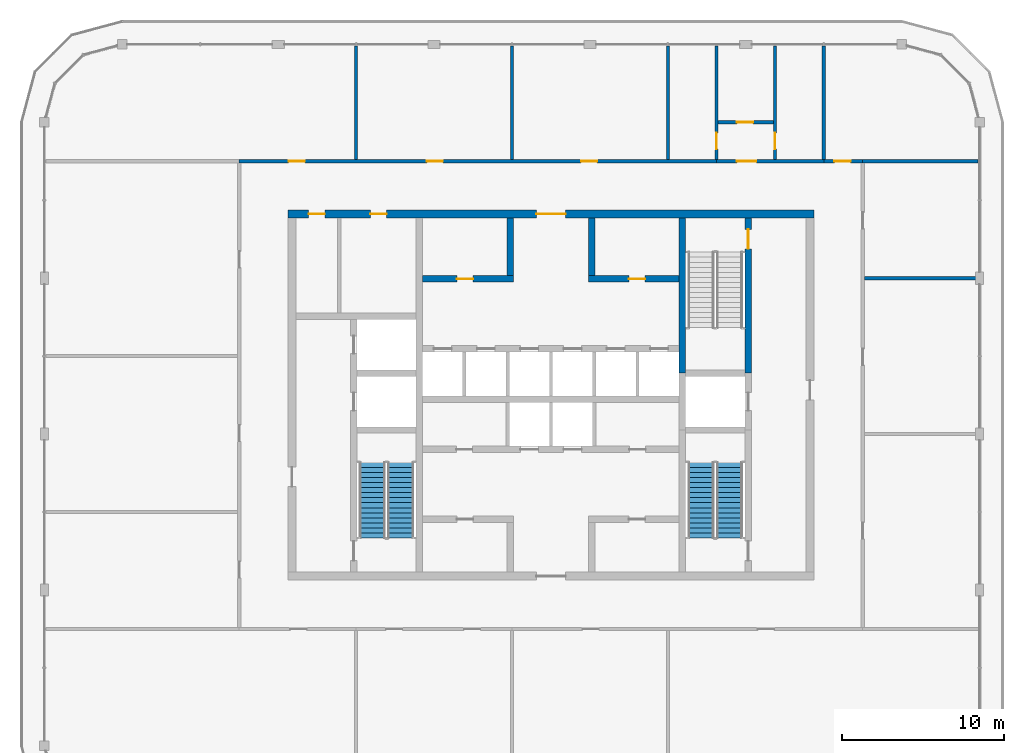
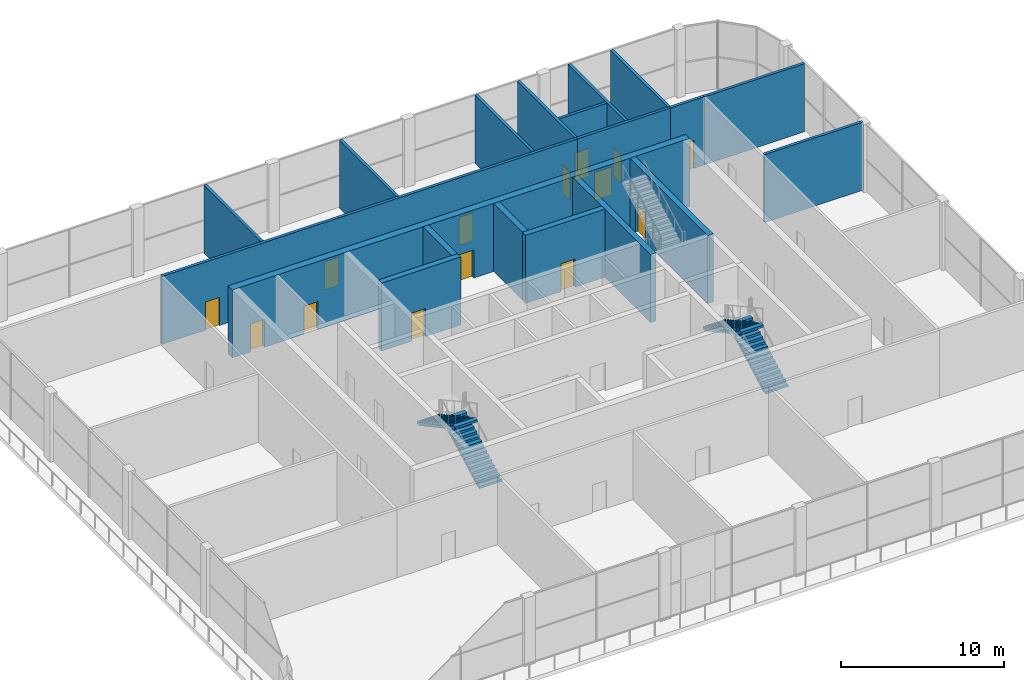
# One storey, part 11 of 15: 19 walls, 14 doors, 4 stair flights, 14 openings, 2 elements without a shape of their own.
"""IFC4 building model written with IfcOpenShell, lengths in metres."""

from ifc_helpers import new_model, si_unit, direction, frame, frame_2d, origin, place, context, subcontext, project, spatial, polyline, rectangle, outline, extrude, material, layer, layer_set, type_object, element, fill, aggregate, save


model = new_model("IFC4")

# Units and contexts
model_context = context("Model", 3, precision=1e-05, world=origin(), true_north=direction((0.0, 1.0)))
body_context = subcontext(model_context, "Body", "Model", "MODEL_VIEW")
ifc_project = project(units=[si_unit("LENGTHUNIT", "METRE"), si_unit("AREAUNIT", "SQUARE_METRE"), si_unit("VOLUMEUNIT", "CUBIC_METRE"), si_unit("PLANEANGLEUNIT", "RADIAN"), si_unit("MASSUNIT", "GRAM", prefix="KILO")], contexts=[model_context])

# Site, building, storey
site_placement = place(None, origin())
site = spatial("IfcSite", under=ifc_project, at=site_placement, CompositionType="ELEMENT")
building_placement = place(site_placement, origin())
building = spatial("IfcBuilding", under=site, at=building_placement, Name="Madar Terraces", CompositionType="ELEMENT")
storey_placement = place(building_placement, frame((0.0, 0.0, 286.10009765625)))
storey = spatial("IfcBuildingStorey", under=building, at=storey_placement, Name="L75", CompositionType="ELEMENT", Elevation=286.10009765625)

# Wall
ifc_material_1 = material(Name="Concrete C50/60", Category="concrete")
ifc_layer_1 = layer(ifc_material_1, 0.39990234375)
ifc_layer_set_1 = layer_set([ifc_layer_1], Name="Concrete C50/60 (CIW6 RC wall 400)")
wall_type_1 = type_object("IfcWallType", Name="CIW6 RC wall 400", PredefinedType="SHEAR", material=ifc_layer_set_1)
wall_1_placement = place(storey_placement, frame((39.300048828125, 27.75, 0.0), z_axis=(0.0, 0.0, 1.0), x_axis=(0.0, 1.0, 0.0)))
element("IfcWall", 1, at=wall_1_placement, inside=storey, type_object=wall_type_1, Name="CORE SHAFT WALL", PredefinedType="SHEAR", context=body_context, shape_type="SweptSolid", body=[
    extrude(rectangle(XDim=9.550048828125, YDim=0.39990234375, at=frame_2d((4.77490234375, 0.0))), origin(), (0.0, 0.0, 1.0), 5.099853515625),
])

# Wall, opening, door
wall_2_placement = place(storey_placement, frame((43.35009765625, 27.75, 0.0), z_axis=(0.0, 0.0, 1.0), x_axis=(0.0, 1.0, 0.0)))
wall_2 = element("IfcWall", 2, at=wall_2_placement, inside=storey, type_object=wall_type_1, Name="CORE SHAFT WALL", PredefinedType="SHEAR", context=body_context, shape_type="SweptSolid", body=[
    extrude(rectangle(XDim=9.550048828125, YDim=0.39990234375, at=frame_2d((4.77490234375, 0.0))), origin(), (0.0, 0.0, 1.0), 5.099853515625),
])
opening_1_placement = place(wall_2_placement, frame((7.64990234375, 0.0, 0.0)))
opening_1 = element("IfcOpeningElement", 3, at=opening_1_placement, cuts=wall_2, Name="Opening SD1", PredefinedType="OPENING", context=body_context, shape_type="SweptSolid", body=[
    extrude(rectangle(XDim=1.199951171875, YDim=2.10009765625, at=frame_2d((0.60009765625, 1.050048828125))), frame((0.0, 0.2099609375, 0.0), z_axis=(0.0, -1.0, 0.0), x_axis=(1.0, 0.0, 0.0)), (0.0, 0.0, 1.0), 0.419921875),
])
ifc_material_2 = material(Name="Steel door leaf", Category="steel")
door_type_1 = type_object("IfcDoorType", Name="Stair door 1200 x 2100", OperationType="NOTDEFINED", PredefinedType="DOOR", material=ifc_material_2)
door_1_placement = place(opening_1_placement, origin())
door_1 = element("IfcDoor", 4, at=door_1_placement, inside=storey, type_object=door_type_1, Name="STAIR DOOR", OperationType="SINGLE_SWING_LEFT", OverallHeight=2.10009765625, OverallWidth=1.199951171875, PredefinedType="DOOR", context=body_context, shape_type="SweptSolid", body=[
    extrude(rectangle(XDim=1.199951171875, YDim=2.10009765625, at=frame_2d((0.60009765625, 1.050048828125))), frame((0.0, 0.02490234375, 0.0), z_axis=(0.0, -1.0, 0.0), x_axis=(1.0, 0.0, 0.0)), (0.0, 0.0, 1.0), 0.050048828125),
])
fill(opening_1, door_1)

wall_3_placement = place(storey_placement, frame((23.300048828125, 33.550048828125, 0.0), z_axis=(0.0, 0.0, 1.0), x_axis=(1.0, 0.0, 0.0)))
wall_3 = element("IfcWall", 5, at=wall_3_placement, inside=storey, type_object=wall_type_1, Name="CORE SHAFT WALL", PredefinedType="SHEAR", context=body_context, shape_type="SweptSolid", body=[
    extrude(rectangle(XDim=5.599853515625, YDim=0.39990234375, at=frame_2d((2.7998046875, 0.0))), origin(), (0.0, 0.0, 1.0), 5.099853515625),
])
opening_2_placement = place(wall_3_placement, frame((2.10009765625, 0.0, 0.0)))
opening_2 = element("IfcOpeningElement", 6, at=opening_2_placement, cuts=wall_3, Name="Opening KD2", PredefinedType="OPENING", context=body_context, shape_type="SweptSolid", body=[
    extrude(rectangle(XDim=1.0, YDim=2.10009765625, at=frame_2d((0.5, 1.050048828125))), frame((0.0, 0.2099609375, 0.0), z_axis=(0.0, -1.0, 0.0), x_axis=(1.0, 0.0, 0.0)), (0.0, 0.0, 1.0), 0.419921875),
])
ifc_material_3 = material(Name="Steel door leaf", Category="steel")
door_type_2 = type_object("IfcDoorType", Name="Service room door 1000 x 2100", OperationType="NOTDEFINED", PredefinedType="DOOR", material=ifc_material_3)
door_2_placement = place(opening_2_placement, frame((1.0, 0.0, 0.0), z_axis=(0.0, 0.0, 1.0), x_axis=(-1.0, 0.0, 0.0)))
door_2 = element("IfcDoor", 7, at=door_2_placement, inside=storey, type_object=door_type_2, Name="SERVICE ROOM DOOR", OperationType="SINGLE_SWING_RIGHT", OverallHeight=2.10009765625, OverallWidth=1.0, PredefinedType="DOOR", context=body_context, shape_type="SweptSolid", body=[
    extrude(rectangle(XDim=1.0, YDim=2.10009765625, at=frame_2d((0.5, 1.050048828125))), frame((0.0, 0.02490234375, 0.0), z_axis=(0.0, -1.0, 0.0), x_axis=(1.0, 0.0, 0.0)), (0.0, 0.0, 1.0), 0.050048828125),
])
fill(opening_2, door_2)

wall_4_placement = place(storey_placement, frame((33.5, 33.550048828125, 0.0), z_axis=(0.0, 0.0, 1.0), x_axis=(1.0, 0.0, 0.0)))
wall_4 = element("IfcWall", 8, at=wall_4_placement, inside=storey, type_object=wall_type_1, Name="CORE SHAFT WALL", PredefinedType="SHEAR", context=body_context, shape_type="SweptSolid", body=[
    extrude(rectangle(XDim=5.60009765625, YDim=0.39990234375, at=frame_2d((2.800048828125, 0.0))), origin(), (0.0, 0.0, 1.0), 5.099853515625),
])
opening_3_placement = place(wall_4_placement, frame((2.5, 0.0, 0.0)))
opening_3 = element("IfcOpeningElement", 9, at=opening_3_placement, cuts=wall_4, Name="Opening KD2", PredefinedType="OPENING", context=body_context, shape_type="SweptSolid", body=[
    extrude(rectangle(XDim=1.0, YDim=2.10009765625, at=frame_2d((0.5, 1.050048828125))), frame((0.0, 0.2099609375, 0.0), z_axis=(0.0, -1.0, 0.0), x_axis=(1.0, 0.0, 0.0)), (0.0, 0.0, 1.0), 0.419921875),
])
door_3_placement = place(opening_3_placement, frame((1.0, 0.0, 0.0), z_axis=(0.0, 0.0, 1.0), x_axis=(-1.0, 0.0, 0.0)))
door_3 = element("IfcDoor", 10, at=door_3_placement, inside=storey, type_object=door_type_2, Name="SERVICE ROOM DOOR", OperationType="SINGLE_SWING_LEFT", OverallHeight=2.10009765625, OverallWidth=1.0, PredefinedType="DOOR", context=body_context, shape_type="SweptSolid", body=[
    extrude(rectangle(XDim=1.0, YDim=2.10009765625, at=frame_2d((0.5, 1.050048828125))), frame((0.0, 0.02490234375, 0.0), z_axis=(0.0, -1.0, 0.0), x_axis=(1.0, 0.0, 0.0)), (0.0, 0.0, 1.0), 0.050048828125),
])
fill(opening_3, door_3)

# Walls
for number, where, z_axis, x_axis, name in (
    (11, (28.699951171875, 33.75, 0.0), (0.0, 0.0, 1.0), (0.0, 1.0, 0.0), "CORE SHAFT WALL"),
    (12, (33.699951171875, 33.75, 0.0), (0.0, 0.0, 1.0), (0.0, 1.0, 0.0), "CORE SHAFT WALL"),
):
    element("IfcWall", number, at=place(storey_placement, frame(where, z_axis=z_axis, x_axis=x_axis)), inside=storey, type_object=wall_type_1, Name=name, PredefinedType="SHEAR", context=body_context, shape_type="SweptSolid", body=[
        extrude(rectangle(XDim=3.550048828125, YDim=0.39990234375, at=frame_2d((1.77490234375, 0.0))), origin(), (0.0, 0.0, 1.0), 5.099853515625),
    ])

# Wall, openings, doors
ifc_material_4 = material(Name="Concrete C50/60", Category="concrete")
ifc_layer_2 = layer(ifc_material_4, 0.5)
ifc_layer_set_2 = layer_set([ifc_layer_2], Name="Concrete C50/60 (CRW6 RC wall 500)")
wall_type_2 = type_object("IfcWallType", Name="CRW6 RC wall 500", PredefinedType="SHEAR", material=ifc_layer_set_2)
wall_5_placement = place(storey_placement, frame((15.0, 37.550048828125, 0.0), z_axis=(0.0, 0.0, 1.0), x_axis=(1.0, 0.0, 0.0)))
wall_5 = element("IfcWall", 13, at=wall_5_placement, inside=storey, type_object=wall_type_2, Name="CORE OUTER WALL", PredefinedType="SHEAR", context=body_context, shape_type="SweptSolid", body=[
    extrude(rectangle(XDim=32.39990234375, YDim=0.5, at=frame_2d((16.199951171875, 0.0))), origin(), (0.0, 0.0, 1.0), 5.099853515625),
])
opening_4_placement = place(wall_5_placement, frame((15.300048828125, 0.0, 0.0)))
opening_4 = element("IfcOpeningElement", 14, at=opening_4_placement, cuts=wall_5, Name="Opening KD1", PredefinedType="OPENING", context=body_context, shape_type="SweptSolid", body=[
    extrude(rectangle(XDim=1.800048828125, YDim=2.10009765625, at=frame_2d((0.89990234375, 1.050048828125))), frame((0.0, 0.260009765625, 0.0), z_axis=(0.0, -1.0, 0.0), x_axis=(1.0, 0.0, 0.0)), (0.0, 0.0, 1.0), 0.52001953125),
])
opening_5_placement = place(wall_5_placement, frame((1.281982421875, 0.0, 0.0)))
opening_5 = element("IfcOpeningElement", 15, at=opening_5_placement, cuts=wall_5, Name="Opening KD2", PredefinedType="OPENING", context=body_context, shape_type="SweptSolid", body=[
    extrude(rectangle(XDim=1.0, YDim=2.10009765625, at=frame_2d((0.5, 1.050048828125))), frame((0.0, 0.260009765625, 0.0), z_axis=(0.0, -1.0, 0.0), x_axis=(1.0, 0.0, 0.0)), (0.0, 0.0, 1.0), 0.52001953125),
])
opening_6_placement = place(wall_5_placement, frame((5.08203125, 0.0, 0.0)))
opening_6 = element("IfcOpeningElement", 16, at=opening_6_placement, cuts=wall_5, Name="Opening KD2", PredefinedType="OPENING", context=body_context, shape_type="SweptSolid", body=[
    extrude(rectangle(XDim=1.0, YDim=2.10009765625, at=frame_2d((0.5, 1.050048828125))), frame((0.0, 0.260009765625, 0.0), z_axis=(0.0, -1.0, 0.0), x_axis=(1.0, 0.0, 0.0)), (0.0, 0.0, 1.0), 0.52001953125),
])
ifc_material_5 = material(Name="Steel door leaf", Category="steel")
door_type_3 = type_object("IfcDoorType", Name="Lobby door pair 1800 x 2100", OperationType="DOUBLE_DOOR_SINGLE_SWING", PredefinedType="DOOR", material=ifc_material_5)
door_4_placement = place(opening_4_placement, origin())
door_4 = element("IfcDoor", 17, at=door_4_placement, inside=storey, type_object=door_type_3, Name="LIFT LOBBY DOOR", OperationType="DOUBLE_DOOR_SINGLE_SWING", OverallHeight=2.10009765625, OverallWidth=1.800048828125, PredefinedType="DOOR", context=body_context, shape_type="SweptSolid", body=[
    extrude(rectangle(XDim=1.800048828125, YDim=2.10009765625, at=frame_2d((0.89990234375, 1.050048828125))), frame((0.0, 0.02490234375, 0.0), z_axis=(0.0, -1.0, 0.0), x_axis=(1.0, 0.0, 0.0)), (0.0, 0.0, 1.0), 0.050048828125),
])
fill(opening_4, door_4)
door_5_placement = place(opening_5_placement, origin())
door_5 = element("IfcDoor", 18, at=door_5_placement, inside=storey, type_object=door_type_2, Name="SERVICE ROOM DOOR", OperationType="SINGLE_SWING_RIGHT", OverallHeight=2.10009765625, OverallWidth=1.0, PredefinedType="DOOR", context=body_context, shape_type="SweptSolid", body=[
    extrude(rectangle(XDim=1.0, YDim=2.10009765625, at=frame_2d((0.5, 1.050048828125))), frame((0.0, 0.02490234375, 0.0), z_axis=(0.0, -1.0, 0.0), x_axis=(1.0, 0.0, 0.0)), (0.0, 0.0, 1.0), 0.050048828125),
])
fill(opening_5, door_5)
door_6_placement = place(opening_6_placement, origin())
door_6 = element("IfcDoor", 19, at=door_6_placement, inside=storey, type_object=door_type_2, Name="SERVICE ROOM DOOR", OperationType="SINGLE_SWING_LEFT", OverallHeight=2.10009765625, OverallWidth=1.0, PredefinedType="DOOR", context=body_context, shape_type="SweptSolid", body=[
    extrude(rectangle(XDim=1.0, YDim=2.10009765625, at=frame_2d((0.5, 1.050048828125))), frame((0.0, 0.02490234375, 0.0), z_axis=(0.0, -1.0, 0.0), x_axis=(1.0, 0.0, 0.0)), (0.0, 0.0, 1.0), 0.050048828125),
])
fill(opening_6, door_6)

# Walls
ifc_material_6 = material(Name="Gypsum board partition, fire-rated")
ifc_layer_3 = layer(ifc_material_6, 0.199951171875)
ifc_layer_set_3 = layer_set([ifc_layer_3], Name="Partition 200 EI 60")
wall_type_3 = type_object("IfcWallType", Name="Partition 200 EI 60", PredefinedType="PARTITIONING", material=ifc_layer_set_3)
wall_6_placement = place(storey_placement, frame((50.5, 33.60009765625, 0.0), z_axis=(0.0, 0.0, 1.0), x_axis=(1.0, 0.0, 0.0)))
element("IfcWall", 20, at=wall_6_placement, inside=storey, type_object=wall_type_3, Name="Wall ART ROOM / STAFF WC", PredefinedType="PARTITIONING", context=body_context, shape_type="SweptSolid", body=[
    extrude(rectangle(XDim=7.0, YDim=0.199951171875, at=frame_2d((3.5, 0.0))), origin(), (0.0, 0.0, 1.0), 5.099853515625),
])
wall_7_placement = place(storey_placement, frame((50.39990234375, 40.800048828125, 0.0), z_axis=(0.0, 0.0, 1.0), x_axis=(1.0, 0.0, 0.0)))
element("IfcWall", 21, at=wall_7_placement, inside=storey, type_object=wall_type_3, Name="Wall QUIET ROOM / STAFF WC", PredefinedType="PARTITIONING", context=body_context, shape_type="SweptSolid", body=[
    extrude(rectangle(XDim=7.10009765625, YDim=0.199951171875, at=frame_2d((3.550048828125, 0.0))), origin(), (0.0, 0.0, 1.0), 5.099853515625),
])

# Wall, openings, doors
wall_8_placement = place(storey_placement, frame((12.0, 40.800048828125, 0.0), z_axis=(0.0, 0.0, 1.0), x_axis=(1.0, 0.0, 0.0)))
wall_8 = element("IfcWall", 22, at=wall_8_placement, inside=storey, type_object=wall_type_3, Name="Wall CRAFT ROOM + INFORMATION ROOM", PredefinedType="PARTITIONING", context=body_context, shape_type="SweptSolid", body=[
    extrude(rectangle(XDim=29.39990234375, YDim=0.199951171875, at=frame_2d((14.699951171875, 0.0))), origin(), (0.0, 0.0, 1.0), 5.099853515625),
])
opening_7_placement = place(wall_8_placement, frame((3.050048828125, 0.0, 0.0)))
opening_7 = element("IfcOpeningElement", 23, at=opening_7_placement, cuts=wall_8, Name="Opening D31", PredefinedType="OPENING", context=body_context, shape_type="SweptSolid", body=[
    extrude(rectangle(XDim=1.0, YDim=2.10009765625, at=frame_2d((0.5, 1.050048828125))), frame((0.0, 0.10986328125, 0.0), z_axis=(0.0, -1.0, 0.0), x_axis=(1.0, 0.0, 0.0)), (0.0, 0.0, 1.0), 0.219970703125),
])
opening_8_placement = place(wall_8_placement, frame((11.550048828125, 0.0, 0.0)))
opening_8 = element("IfcOpeningElement", 24, at=opening_8_placement, cuts=wall_8, Name="Opening D31", PredefinedType="OPENING", context=body_context, shape_type="SweptSolid", body=[
    extrude(rectangle(XDim=1.0, YDim=2.10009765625, at=frame_2d((0.5, 1.050048828125))), frame((0.0, 0.10986328125, 0.0), z_axis=(0.0, -1.0, 0.0), x_axis=(1.0, 0.0, 0.0)), (0.0, 0.0, 1.0), 0.219970703125),
])
opening_9_placement = place(wall_8_placement, frame((21.050048828125, 0.0, 0.0)))
opening_9 = element("IfcOpeningElement", 25, at=opening_9_placement, cuts=wall_8, Name="Opening D31", PredefinedType="OPENING", context=body_context, shape_type="SweptSolid", body=[
    extrude(rectangle(XDim=1.0, YDim=2.10009765625, at=frame_2d((0.5, 1.050048828125))), frame((0.0, 0.10986328125, 0.0), z_axis=(0.0, -1.0, 0.0), x_axis=(1.0, 0.0, 0.0)), (0.0, 0.0, 1.0), 0.219970703125),
])
ifc_material_7 = material(Name="Timber door leaf, fire-rated", Category="wood")
door_type_4 = type_object("IfcDoorType", Name="Podium door 1000 x 2100 FD30S", OperationType="NOTDEFINED", PredefinedType="DOOR", material=ifc_material_7)
door_7_placement = place(opening_7_placement, origin())
door_7 = element("IfcDoor", 26, at=door_7_placement, inside=storey, type_object=door_type_4, Name="Door INFORMATION ROOM / RING CORRIDOR", OperationType="SINGLE_SWING_LEFT", OverallHeight=2.10009765625, OverallWidth=1.0, PredefinedType="DOOR", context=body_context, shape_type="SweptSolid", body=[
    extrude(rectangle(XDim=1.0, YDim=2.10009765625, at=frame_2d((0.5, 1.050048828125))), frame((0.0, 0.02490234375, 0.0), z_axis=(0.0, -1.0, 0.0), x_axis=(1.0, 0.0, 0.0)), (0.0, 0.0, 1.0), 0.050048828125),
])
fill(opening_7, door_7)
door_8_placement = place(opening_8_placement, origin())
door_8 = element("IfcDoor", 27, at=door_8_placement, inside=storey, type_object=door_type_4, Name="Door TICKET OFFICE / RING CORRIDOR", OperationType="SINGLE_SWING_RIGHT", OverallHeight=2.10009765625, OverallWidth=1.0, PredefinedType="DOOR", context=body_context, shape_type="SweptSolid", body=[
    extrude(rectangle(XDim=1.0, YDim=2.10009765625, at=frame_2d((0.5, 1.050048828125))), frame((0.0, 0.02490234375, 0.0), z_axis=(0.0, -1.0, 0.0), x_axis=(1.0, 0.0, 0.0)), (0.0, 0.0, 1.0), 0.050048828125),
])
fill(opening_8, door_8)
door_9_placement = place(opening_9_placement, origin())
door_9 = element("IfcDoor", 28, at=door_9_placement, inside=storey, type_object=door_type_4, Name="Door CRAFT ROOM / RING CORRIDOR", OperationType="SINGLE_SWING_LEFT", OverallHeight=2.10009765625, OverallWidth=1.0, PredefinedType="DOOR", context=body_context, shape_type="SweptSolid", body=[
    extrude(rectangle(XDim=1.0, YDim=2.10009765625, at=frame_2d((0.5, 1.050048828125))), frame((0.0, 0.02490234375, 0.0), z_axis=(0.0, -1.0, 0.0), x_axis=(1.0, 0.0, 0.0)), (0.0, 0.0, 1.0), 0.050048828125),
])
fill(opening_9, door_9)

# Wall, opening, door
wall_9_placement = place(storey_placement, frame((48.0, 40.800048828125, 0.0), z_axis=(0.0, 0.0, 1.0), x_axis=(-1.0, 0.0, 0.0)))
wall_9 = element("IfcWall", 29, at=wall_9_placement, inside=storey, type_object=wall_type_3, Name="Wall WC LOBBY + WC WOMEN", PredefinedType="PARTITIONING", context=body_context, shape_type="SweptSolid", body=[
    extrude(rectangle(XDim=6.60009765625, YDim=0.199951171875, at=frame_2d((3.300048828125, 0.0))), origin(), (0.0, 0.0, 1.0), 5.099853515625),
])
opening_10_placement = place(wall_9_placement, frame((4.14990234375, 0.0, 0.0)))
opening_10 = element("IfcOpeningElement", 30, at=opening_10_placement, cuts=wall_9, Name="Opening D32", PredefinedType="OPENING", context=body_context, shape_type="SweptSolid", body=[
    extrude(rectangle(XDim=1.199951171875, YDim=2.10009765625, at=frame_2d((0.60009765625, 1.050048828125))), frame((0.0, 0.10986328125, 0.0), z_axis=(0.0, -1.0, 0.0), x_axis=(1.0, 0.0, 0.0)), (0.0, 0.0, 1.0), 0.219970703125),
])
ifc_material_8 = material(Name="Timber door leaf, fire-rated", Category="wood")
door_type_5 = type_object("IfcDoorType", Name="Podium door 1200 x 2100 FD30S", OperationType="NOTDEFINED", PredefinedType="DOOR", material=ifc_material_8)
door_10_placement = place(opening_10_placement, origin())
door_10 = element("IfcDoor", 31, at=door_10_placement, inside=storey, type_object=door_type_5, Name="Door WC LOBBY / RING CORRIDOR", OperationType="SINGLE_SWING_LEFT", OverallHeight=2.10009765625, OverallWidth=1.199951171875, PredefinedType="DOOR", context=body_context, shape_type="SweptSolid", body=[
    extrude(rectangle(XDim=1.199951171875, YDim=2.10009765625, at=frame_2d((0.60009765625, 1.050048828125))), frame((0.0, 0.02490234375, 0.0), z_axis=(0.0, -1.0, 0.0), x_axis=(1.0, 0.0, 0.0)), (0.0, 0.0, 1.0), 0.050048828125),
])
fill(opening_10, door_10)

wall_10_placement = place(storey_placement, frame((48.0, 40.800048828125, 0.0), z_axis=(0.0, 0.0, 1.0), x_axis=(1.0, 0.0, 0.0)))
wall_10 = element("IfcWall", 32, at=wall_10_placement, inside=storey, type_object=wall_type_3, Name="Wall QUIET ROOM / RING CORRIDOR", PredefinedType="PARTITIONING", context=body_context, shape_type="SweptSolid", body=[
    extrude(rectangle(XDim=2.39990234375, YDim=0.199951171875, at=frame_2d((1.199951171875, 0.0))), origin(), (0.0, 0.0, 1.0), 5.099853515625),
])
opening_11_placement = place(wall_10_placement, frame((0.64990234375, 0.0, 0.0)))
opening_11 = element("IfcOpeningElement", 33, at=opening_11_placement, cuts=wall_10, Name="Opening D31", PredefinedType="OPENING", context=body_context, shape_type="SweptSolid", body=[
    extrude(rectangle(XDim=1.0, YDim=2.10009765625, at=frame_2d((0.5, 1.050048828125))), frame((0.0, 0.10986328125, 0.0), z_axis=(0.0, -1.0, 0.0), x_axis=(1.0, 0.0, 0.0)), (0.0, 0.0, 1.0), 0.219970703125),
])
door_11_placement = place(opening_11_placement, origin())
door_11 = element("IfcDoor", 34, at=door_11_placement, inside=storey, type_object=door_type_4, Name="Door QUIET ROOM / RING CORRIDOR", OperationType="SINGLE_SWING_LEFT", OverallHeight=2.10009765625, OverallWidth=1.0, PredefinedType="DOOR", context=body_context, shape_type="SweptSolid", body=[
    extrude(rectangle(XDim=1.0, YDim=2.10009765625, at=frame_2d((0.5, 1.050048828125))), frame((0.0, 0.02490234375, 0.0), z_axis=(0.0, -1.0, 0.0), x_axis=(1.0, 0.0, 0.0)), (0.0, 0.0, 1.0), 0.050048828125),
])
fill(opening_11, door_11)

wall_11_placement = place(storey_placement, frame((41.5, 43.199951171875, 0.0), z_axis=(0.0, 0.0, 1.0), x_axis=(1.0, 0.0, 0.0)))
wall_11 = element("IfcWall", 35, at=wall_11_placement, inside=storey, type_object=wall_type_3, Name="Wall WC LOBBY / ACCESSIBLE WC", PredefinedType="PARTITIONING", context=body_context, shape_type="SweptSolid", body=[
    extrude(rectangle(XDim=3.39990234375, YDim=0.199951171875, at=frame_2d((1.699951171875, 0.0))), origin(), (0.0, 0.0, 1.0), 5.099853515625),
])
opening_12_placement = place(wall_11_placement, frame((1.14990234375, 0.0, 0.0)))
opening_12 = element("IfcOpeningElement", 36, at=opening_12_placement, cuts=wall_11, Name="Opening D31", PredefinedType="OPENING", context=body_context, shape_type="SweptSolid", body=[
    extrude(rectangle(XDim=1.0, YDim=2.10009765625, at=frame_2d((0.5, 1.050048828125))), frame((0.0, 0.10986328125, 0.0), z_axis=(0.0, -1.0, 0.0), x_axis=(1.0, 0.0, 0.0)), (0.0, 0.0, 1.0), 0.219970703125),
])
door_12_placement = place(opening_12_placement, origin())
door_12 = element("IfcDoor", 37, at=door_12_placement, inside=storey, type_object=door_type_4, Name="Door WC LOBBY / ACCESSIBLE WC", OperationType="SINGLE_SWING_LEFT", OverallHeight=2.10009765625, OverallWidth=1.0, PredefinedType="DOOR", context=body_context, shape_type="SweptSolid", body=[
    extrude(rectangle(XDim=1.0, YDim=2.10009765625, at=frame_2d((0.5, 1.050048828125))), frame((0.0, 0.02490234375, 0.0), z_axis=(0.0, -1.0, 0.0), x_axis=(1.0, 0.0, 0.0)), (0.0, 0.0, 1.0), 0.050048828125),
])
fill(opening_12, door_12)

# Walls
for number, where, z_axis, x_axis, name in (
    (38, (19.199951171875, 40.89990234375, 0.0), (0.0, 0.0, 1.0), (0.0, 1.0, 0.0), "Wall INFORMATION ROOM / TICKET OFFICE"),
    (39, (28.800048828125, 40.89990234375, 0.0), (0.0, 0.0, 1.0), (0.0, 1.0, 0.0), "Wall TICKET OFFICE / CRAFT ROOM"),
    (40, (38.39990234375, 40.89990234375, 0.0), (0.0, 0.0, 1.0), (0.0, 1.0, 0.0), "Wall CRAFT ROOM / WC MEN"),
):
    element("IfcWall", number, at=place(storey_placement, frame(where, z_axis=z_axis, x_axis=x_axis)), inside=storey, type_object=wall_type_3, Name=name, PredefinedType="PARTITIONING", context=body_context, shape_type="SweptSolid", body=[
        extrude(rectangle(XDim=7.0, YDim=0.199951171875, at=frame_2d((3.5, 0.0))), origin(), (0.0, 0.0, 1.0), 5.099853515625),
    ])

# Wall, opening, door
wall_12_placement = place(storey_placement, frame((41.39990234375, 40.89990234375, 0.0), z_axis=(0.0, 0.0, 1.0), x_axis=(0.0, 1.0, 0.0)))
wall_12 = element("IfcWall", 41, at=wall_12_placement, inside=storey, type_object=wall_type_3, Name="Wall WC MEN", PredefinedType="PARTITIONING", context=body_context, shape_type="SweptSolid", body=[
    extrude(rectangle(XDim=7.0, YDim=0.199951171875, at=frame_2d((3.5, 0.0))), origin(), (0.0, 0.0, 1.0), 5.099853515625),
])
opening_13_placement = place(wall_12_placement, frame((0.64990234375, 0.0, 0.0)))
opening_13 = element("IfcOpeningElement", 42, at=opening_13_placement, cuts=wall_12, Name="Opening D31", PredefinedType="OPENING", context=body_context, shape_type="SweptSolid", body=[
    extrude(rectangle(XDim=1.0, YDim=2.10009765625, at=frame_2d((0.5, 1.050048828125))), frame((0.0, 0.10986328125, 0.0), z_axis=(0.0, -1.0, 0.0), x_axis=(1.0, 0.0, 0.0)), (0.0, 0.0, 1.0), 0.219970703125),
])
door_13_placement = place(opening_13_placement, origin())
door_13 = element("IfcDoor", 43, at=door_13_placement, inside=storey, type_object=door_type_4, Name="Door WC MEN / WC LOBBY", OperationType="SINGLE_SWING_LEFT", OverallHeight=2.10009765625, OverallWidth=1.0, PredefinedType="DOOR", context=body_context, shape_type="SweptSolid", body=[
    extrude(rectangle(XDim=1.0, YDim=2.10009765625, at=frame_2d((0.5, 1.050048828125))), frame((0.0, 0.02490234375, 0.0), z_axis=(0.0, -1.0, 0.0), x_axis=(1.0, 0.0, 0.0)), (0.0, 0.0, 1.0), 0.050048828125),
])
fill(opening_13, door_13)

wall_13_placement = place(storey_placement, frame((45.0, 47.89990234375, 0.0), z_axis=(0.0, 0.0, 1.0), x_axis=(0.0, -1.0, 0.0)))
wall_13 = element("IfcWall", 44, at=wall_13_placement, inside=storey, type_object=wall_type_3, Name="Wall WC LOBBY + WC WOMEN", PredefinedType="PARTITIONING", context=body_context, shape_type="SweptSolid", body=[
    extrude(rectangle(XDim=7.0, YDim=0.199951171875, at=frame_2d((3.5, 0.0))), origin(), (0.0, 0.0, 1.0), 5.099853515625),
])
opening_14_placement = place(wall_13_placement, frame((5.35009765625, 0.0, 0.0)))
opening_14 = element("IfcOpeningElement", 45, at=opening_14_placement, cuts=wall_13, Name="Opening D31", PredefinedType="OPENING", context=body_context, shape_type="SweptSolid", body=[
    extrude(rectangle(XDim=1.0, YDim=2.10009765625, at=frame_2d((0.5, 1.050048828125))), frame((0.0, 0.10986328125, 0.0), z_axis=(0.0, -1.0, 0.0), x_axis=(1.0, 0.0, 0.0)), (0.0, 0.0, 1.0), 0.219970703125),
])
door_14_placement = place(opening_14_placement, origin())
door_14 = element("IfcDoor", 46, at=door_14_placement, inside=storey, type_object=door_type_4, Name="Door WC LOBBY / WC WOMEN", OperationType="SINGLE_SWING_RIGHT", OverallHeight=2.10009765625, OverallWidth=1.0, PredefinedType="DOOR", context=body_context, shape_type="SweptSolid", body=[
    extrude(rectangle(XDim=1.0, YDim=2.10009765625, at=frame_2d((0.5, 1.050048828125))), frame((0.0, 0.02490234375, 0.0), z_axis=(0.0, -1.0, 0.0), x_axis=(1.0, 0.0, 0.0)), (0.0, 0.0, 1.0), 0.050048828125),
])
fill(opening_14, door_14)

# Wall
wall_14_placement = place(storey_placement, frame((48.0, 40.89990234375, 0.0), z_axis=(0.0, 0.0, 1.0), x_axis=(0.0, 1.0, 0.0)))
element("IfcWall", 47, at=wall_14_placement, inside=storey, type_object=wall_type_3, Name="Wall WC WOMEN / QUIET ROOM", PredefinedType="PARTITIONING", context=body_context, shape_type="SweptSolid", body=[
    extrude(rectangle(XDim=7.0, YDim=0.199951171875, at=frame_2d((3.5, 0.0))), origin(), (0.0, 0.0, 1.0), 5.099853515625),
])

# Stair, stair flights
ifc_material_9 = material(Name="Concrete C50/60", Category="concrete")
stair_type_1 = type_object("IfcStairType", Name="Stair ST1 protected exit", PredefinedType="HALF_TURN_STAIR", material=ifc_material_9)
stair_1_placement = place(storey_placement, origin())
stair_1 = element("IfcStair", 48, at=stair_1_placement, inside=storey, type_object=stair_type_1, Name="L75 Protected Exit Stair ST1", PredefinedType="HALF_TURN_STAIR")
ifc_material_10 = material(Name="Concrete C50/60", Category="concrete")
stair_flight_type_1 = type_object("IfcStairFlightType", Name="Stair flight ST1-F3, 1600 wide, 16 risers", PredefinedType="STRAIGHT", material=ifc_material_10)
stair_flight_1_placement = place(storey_placement, frame((21.949951171875, 17.60009765625, 0.0), z_axis=(0.0, 0.0, 1.0), x_axis=(0.0, 1.0, 0.0)))
stair_flight_1 = element("IfcStairFlight", 49, at=stair_flight_1_placement, type_object=stair_flight_type_1, Name="ST1 flight 1", NumberOfRisers=16, NumberOfTreads=15, PredefinedType="STRAIGHT", RiserHeight=0.16875, TreadLength=0.31, context=body_context, shape_type="SweptSolid", body=[
    extrude(outline(polyline([(0.0, 0.0), (0.0, 0.168701171875), (0.31005859375, 0.168701171875), (0.31005859375, 0.33740234375), (0.6201171875, 0.33740234375), (0.6201171875, 0.50634765625), (0.929931640625, 0.50634765625), (0.929931640625, 0.675048828125), (1.239990234375, 0.675048828125), (1.239990234375, 0.84375), (1.550048828125, 0.84375), (1.550048828125, 1.012451171875), (1.860107421875, 1.012451171875), (1.860107421875, 1.18115234375), (2.169921875, 1.18115234375), (2.169921875, 1.35009765625), (2.47998046875, 1.35009765625), (2.47998046875, 1.518798828125), (2.7900390625, 1.518798828125), (2.7900390625, 1.6875), (3.10009765625, 1.6875), (3.10009765625, 1.856201171875), (3.409912109375, 1.856201171875), (3.409912109375, 2.02490234375), (3.719970703125, 2.02490234375), (3.719970703125, 2.19384765625), (4.030029296875, 2.19384765625), (4.030029296875, 2.362548828125), (4.340087890625, 2.362548828125), (4.340087890625, 2.53125), (4.64990234375, 2.53125), (4.64990234375, 2.699951171875), (4.64990234375, 2.360595703125), (0.3134765625, 0.0), (0.0, 0.0)])), frame((0.0, 0.800048828125, 0.0), z_axis=(0.0, -1.0, 0.0), x_axis=(1.0, 0.0, 0.0)), (0.0, 0.0, 1.0), 1.60009765625),
])
stair_flight_2_placement = place(storey_placement, frame((20.199951171875, 22.25, 2.699951171875), z_axis=(0.0, 0.0, 1.0), x_axis=(0.0, -1.0, 0.0)))
stair_flight_2 = element("IfcStairFlight", 50, at=stair_flight_2_placement, type_object=stair_flight_type_1, Name="ST1 flight 2", NumberOfRisers=16, NumberOfTreads=15, PredefinedType="STRAIGHT", RiserHeight=0.16875, TreadLength=0.31, context=body_context, shape_type="SweptSolid", body=[
    extrude(outline(polyline([(0.0, 0.0), (0.0, 0.168701171875), (0.31005859375, 0.168701171875), (0.31005859375, 0.33740234375), (0.6201171875, 0.33740234375), (0.6201171875, 0.50634765625), (0.929931640625, 0.50634765625), (0.929931640625, 0.675048828125), (1.239990234375, 0.675048828125), (1.239990234375, 0.84375), (1.550048828125, 0.84375), (1.550048828125, 1.012451171875), (1.860107421875, 1.012451171875), (1.860107421875, 1.18115234375), (2.169921875, 1.18115234375), (2.169921875, 1.35009765625), (2.47998046875, 1.35009765625), (2.47998046875, 1.518798828125), (2.7900390625, 1.518798828125), (2.7900390625, 1.6875), (3.10009765625, 1.6875), (3.10009765625, 1.856201171875), (3.409912109375, 1.856201171875), (3.409912109375, 2.02490234375), (3.719970703125, 2.02490234375), (3.719970703125, 2.19384765625), (4.030029296875, 2.19384765625), (4.030029296875, 2.362548828125), (4.340087890625, 2.362548828125), (4.340087890625, 2.53125), (4.64990234375, 2.53125), (4.64990234375, 2.699951171875), (4.64990234375, 2.360595703125), (0.3134765625, 0.0), (0.0, 0.0)])), frame((0.0, 0.800048828125, 0.0), z_axis=(0.0, -1.0, 0.0), x_axis=(1.0, 0.0, 0.0)), (0.0, 0.0, 1.0), 1.60009765625),
])
aggregate(stair_1, [stair_flight_1, stair_flight_2])

ifc_material_11 = material(Name="Concrete C50/60", Category="concrete")
stair_type_2 = type_object("IfcStairType", Name="Stair ST3 protected exit", PredefinedType="HALF_TURN_STAIR", material=ifc_material_11)
stair_2_placement = place(storey_placement, origin())
stair_2 = element("IfcStair", 51, at=stair_2_placement, inside=storey, type_object=stair_type_2, Name="L75 Protected Exit Stair ST3", PredefinedType="HALF_TURN_STAIR")
ifc_material_12 = material(Name="Concrete C50/60", Category="concrete")
stair_flight_type_2 = type_object("IfcStairFlightType", Name="Stair flight ST3-F3, 1600 wide, 16 risers", PredefinedType="STRAIGHT", material=ifc_material_12)
stair_flight_3_placement = place(storey_placement, frame((42.199951171875, 17.60009765625, 0.0), z_axis=(0.0, 0.0, 1.0), x_axis=(0.0, 1.0, 0.0)))
stair_flight_3 = element("IfcStairFlight", 52, at=stair_flight_3_placement, type_object=stair_flight_type_2, Name="ST3 flight 1", NumberOfRisers=16, NumberOfTreads=15, PredefinedType="STRAIGHT", RiserHeight=0.16875, TreadLength=0.31, context=body_context, shape_type="SweptSolid", body=[
    extrude(outline(polyline([(0.0, 0.0), (0.0, 0.168701171875), (0.31005859375, 0.168701171875), (0.31005859375, 0.33740234375), (0.6201171875, 0.33740234375), (0.6201171875, 0.50634765625), (0.929931640625, 0.50634765625), (0.929931640625, 0.675048828125), (1.239990234375, 0.675048828125), (1.239990234375, 0.84375), (1.550048828125, 0.84375), (1.550048828125, 1.012451171875), (1.860107421875, 1.012451171875), (1.860107421875, 1.18115234375), (2.169921875, 1.18115234375), (2.169921875, 1.35009765625), (2.47998046875, 1.35009765625), (2.47998046875, 1.518798828125), (2.7900390625, 1.518798828125), (2.7900390625, 1.6875), (3.10009765625, 1.6875), (3.10009765625, 1.856201171875), (3.409912109375, 1.856201171875), (3.409912109375, 2.02490234375), (3.719970703125, 2.02490234375), (3.719970703125, 2.19384765625), (4.030029296875, 2.19384765625), (4.030029296875, 2.362548828125), (4.340087890625, 2.362548828125), (4.340087890625, 2.53125), (4.64990234375, 2.53125), (4.64990234375, 2.699951171875), (4.64990234375, 2.360595703125), (0.3134765625, 0.0), (0.0, 0.0)])), frame((0.0, 0.800048828125, 0.0), z_axis=(0.0, -1.0, 0.0), x_axis=(1.0, 0.0, 0.0)), (0.0, 0.0, 1.0), 1.60009765625),
])
stair_flight_4_placement = place(storey_placement, frame((40.449951171875, 22.25, 2.699951171875), z_axis=(0.0, 0.0, 1.0), x_axis=(0.0, -1.0, 0.0)))
stair_flight_4 = element("IfcStairFlight", 53, at=stair_flight_4_placement, type_object=stair_flight_type_2, Name="ST3 flight 2", NumberOfRisers=16, NumberOfTreads=15, PredefinedType="STRAIGHT", RiserHeight=0.16875, TreadLength=0.31, context=body_context, shape_type="SweptSolid", body=[
    extrude(outline(polyline([(0.0, 0.0), (0.0, 0.168701171875), (0.31005859375, 0.168701171875), (0.31005859375, 0.33740234375), (0.6201171875, 0.33740234375), (0.6201171875, 0.50634765625), (0.929931640625, 0.50634765625), (0.929931640625, 0.675048828125), (1.239990234375, 0.675048828125), (1.239990234375, 0.84375), (1.550048828125, 0.84375), (1.550048828125, 1.012451171875), (1.860107421875, 1.012451171875), (1.860107421875, 1.18115234375), (2.169921875, 1.18115234375), (2.169921875, 1.35009765625), (2.47998046875, 1.35009765625), (2.47998046875, 1.518798828125), (2.7900390625, 1.518798828125), (2.7900390625, 1.6875), (3.10009765625, 1.6875), (3.10009765625, 1.856201171875), (3.409912109375, 1.856201171875), (3.409912109375, 2.02490234375), (3.719970703125, 2.02490234375), (3.719970703125, 2.19384765625), (4.030029296875, 2.19384765625), (4.030029296875, 2.362548828125), (4.340087890625, 2.362548828125), (4.340087890625, 2.53125), (4.64990234375, 2.53125), (4.64990234375, 2.699951171875), (4.64990234375, 2.360595703125), (0.3134765625, 0.0), (0.0, 0.0)])), frame((0.0, 0.800048828125, 0.0), z_axis=(0.0, -1.0, 0.0), x_axis=(1.0, 0.0, 0.0)), (0.0, 0.0, 1.0), 1.60009765625),
])
aggregate(stair_2, [stair_flight_3, stair_flight_4])

save(model, "model.ifc")
